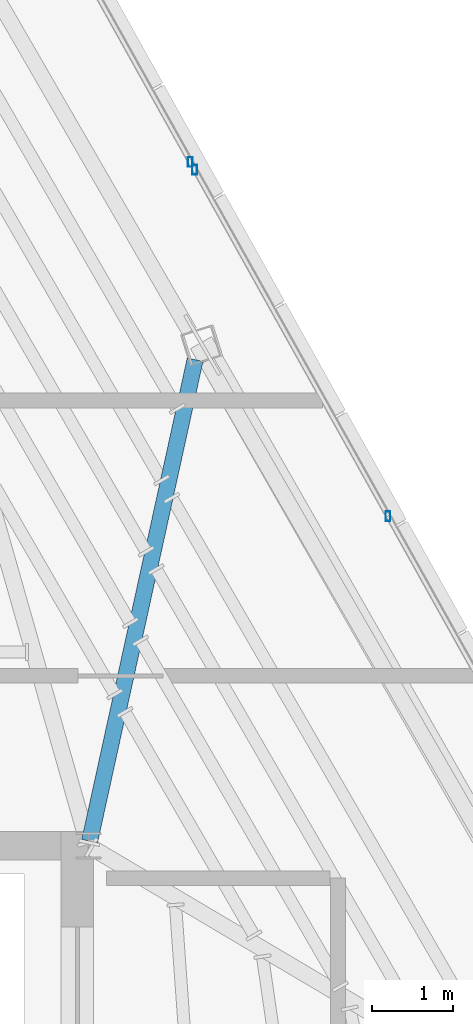
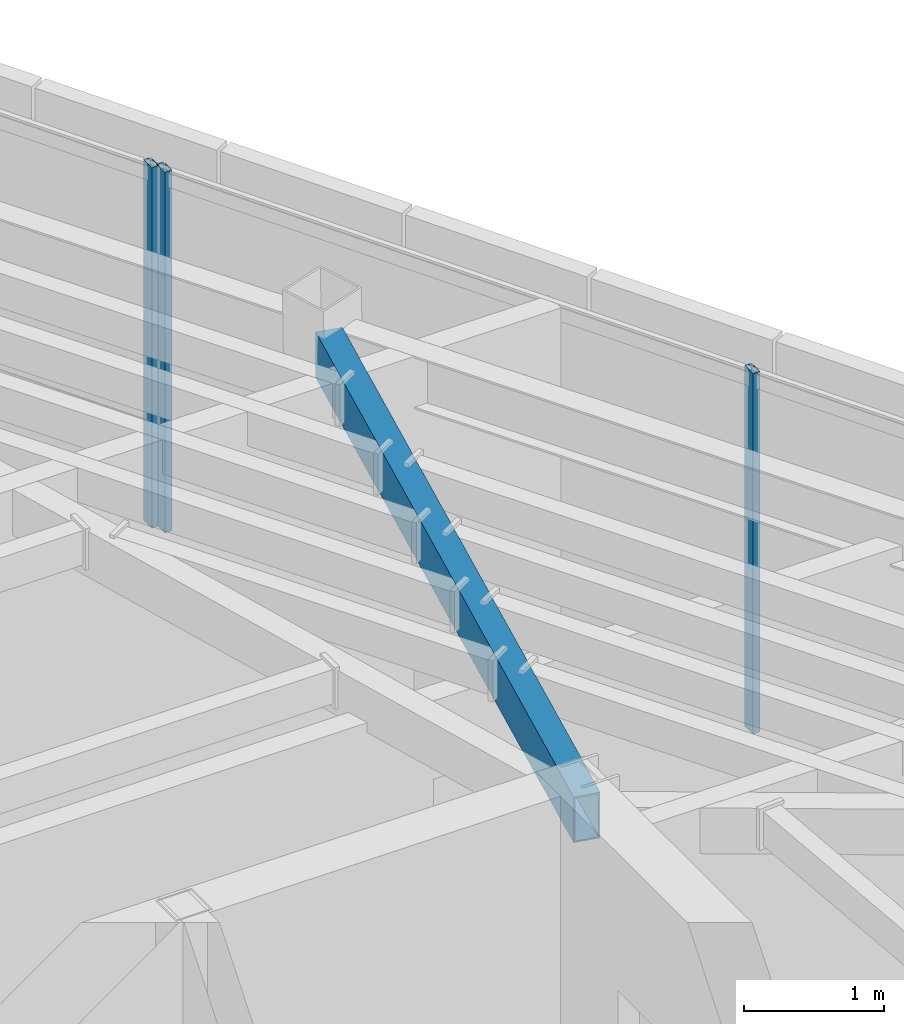
# One storey, part 31 of 48: 3 members, 1 beam, 2 elements without a shape of their own.
"""IFC4 building model written with IfcOpenShell, lengths in metres."""

from ifc_helpers import new_model, si_unit, direction, frame, origin, origin_2d, place, context, subcontext, project, spatial, hollow_rectangle, extrude, source, transform, mapped, material, material_profile, profile_set, type_object, type_shapes, element, aggregate, save


model = new_model("IFC4")

# Units and contexts
model_context = context("Model", 3, precision=1e-05, world=origin(), true_north=direction((0.0, 1.0)))
body_context = subcontext(model_context, "Body", "Model", "MODEL_VIEW")
ifc_project = project(units=[si_unit("LENGTHUNIT", "METRE"), si_unit("AREAUNIT", "SQUARE_METRE"), si_unit("VOLUMEUNIT", "CUBIC_METRE"), si_unit("PLANEANGLEUNIT", "RADIAN"), si_unit("MASSUNIT", "GRAM", prefix="KILO")], contexts=[model_context])

# Site, building, storey
site_placement = place(None, origin())
site = spatial("IfcSite", under=ifc_project, at=site_placement, CompositionType="ELEMENT")
building_placement = place(site_placement, origin())
building = spatial("IfcBuilding", under=site, at=building_placement, Name="Caelisora Broadcast Tower", CompositionType="ELEMENT")
storey_placement = place(building_placement, frame((0.0, 0.0, 300.0)))
storey = spatial("IfcBuildingStorey", under=building, at=storey_placement, Name="L79", CompositionType="ELEMENT", Elevation=300.0)

# Beam
ifc_material_1 = material(Name="Steel Grade 350 (AS/NZS 1163 C350L0)", Category="steel")
ifc_material_profile_1 = material_profile(ifc_material_1, hollow_rectangle(XDim=0.199951171875, YDim=0.39990234375, WallThickness=0.012451171875, at=origin_2d()), Name="Steel Grade 350 (AS/NZS 1163 C350L0)")
ifc_profile_set_1 = profile_set([ifc_material_profile_1], Name="Steel Grade 350 (AS/NZS 1163 C350L0)")
beam_type = type_object("IfcBeamType", Name="PG07", PredefinedType="BEAM", material=ifc_profile_set_1)
shared_shape_1 = source(origin(), body_context, "Body", "SweptSolid", [
    extrude(hollow_rectangle(XDim=0.199951171875, YDim=0.39990234375, WallThickness=0.012451171875, at=origin_2d()), origin(), (0.0, 0.0, 1.0), 6.087158203125),
])
type_shapes(beam_type, [shared_shape_1])
beam_placement = place(storey_placement, frame((45.5126953125, 30.05859375, 2.949951171875), z_axis=(0.214016236136, 0.976830103278, 0.0), x_axis=(-0.976830103278, 0.214016236136, 0.0)))
element("IfcBeam", 1, at=beam_placement, inside=storey, type_object=beam_type, Name="L79 beam PG07", PredefinedType="BEAM", context=body_context, shape_type="MappedRepresentation", body=[
    mapped(shared_shape_1, transform((0.0, 0.0, 0.0), scale=1.0)),
])

# Curtain wall, member
ifc_material_2 = material(Name="Unitised Aluminium Insulated Shadow-Box Spandrel Curtain Wall", Category="aluminium")
curtain_wall_type = type_object("IfcCurtainWallType", Name="CW-SP3", PredefinedType="NOTDEFINED", material=ifc_material_2)
curtain_wall_1_placement = place(storey_placement, origin())
curtain_wall_1 = element("IfcCurtainWall", 2, at=curtain_wall_1_placement, inside=storey, type_object=curtain_wall_type, Name="L79 curtain wall CW-SP3", PredefinedType="NOTDEFINED")
ifc_material_3 = material(Name="Aluminium 6063-T6 Anodised Terracotta Bronze", Category="aluminium")
ifc_material_profile_2 = material_profile(ifc_material_3, hollow_rectangle(XDim=0.06005859375, YDim=0.1201171875, WallThickness=0.0029296875, at=origin_2d()), Name="Aluminium 6063-T6 Anodised Terracotta Bronze")
ifc_profile_set_2 = profile_set([ifc_material_profile_2], Name="Aluminium 6063-T6 Anodised Terracotta Bronze")
member_type = type_object("IfcMemberType", Name="CWM-04", PredefinedType="MULLION", material=ifc_profile_set_2)
shared_shape_2 = source(origin(), body_context, "Body", "SweptSolid", [
    extrude(hollow_rectangle(XDim=0.06005859375, YDim=0.1201171875, WallThickness=0.0029296875, at=origin_2d()), origin(), (0.0, 0.0, 1.0), 3.14990234375),
])
type_shapes(member_type, [shared_shape_2])
member_1_placement = place(storey_placement, frame((46.755615234375, 38.4453125, 0.0), z_axis=(0.0, 0.0, 1.0), x_axis=(1.0, 0.0, 0.0)))
member_1 = element("IfcMember", 3, at=member_1_placement, type_object=member_type, Name="L79-CW-B01 mullion #3", PredefinedType="MULLION", context=body_context, shape_type="MappedRepresentation", body=[
    mapped(shared_shape_2, transform((0.0, 0.0, 0.0), scale=1.0)),
])
aggregate(curtain_wall_1, [member_1])

# Curtain wall, members
curtain_wall_2_placement = place(storey_placement, origin())
curtain_wall_2 = element("IfcCurtainWall", 4, at=curtain_wall_2_placement, inside=storey, type_object=curtain_wall_type, Name="L79 curtain wall CW-SP3", PredefinedType="NOTDEFINED")
member_2_placement = place(storey_placement, frame((46.80908203125, 38.349365234375, 0.0), z_axis=(0.0, 0.0, 1.0), x_axis=(1.0, 0.0, 0.0)))
member_2 = element("IfcMember", 5, at=member_2_placement, type_object=member_type, Name="L79-CW-B02 mullion #0", PredefinedType="MULLION", context=body_context, shape_type="MappedRepresentation", body=[
    mapped(shared_shape_2, transform((0.0, 0.0, 0.0), scale=1.0)),
])
member_3_placement = place(storey_placement, frame((49.196533203125, 34.0712890625, 0.0), z_axis=(0.0, 0.0, 1.0), x_axis=(1.0, 0.0, 0.0)))
member_3 = element("IfcMember", 6, at=member_3_placement, type_object=member_type, Name="L79-CW-B02 mullion #1", PredefinedType="MULLION", context=body_context, shape_type="MappedRepresentation", body=[
    mapped(shared_shape_2, transform((0.0, 0.0, 0.0), scale=1.0)),
])
aggregate(curtain_wall_2, [member_2, member_3])

save(model, "model.ifc")
